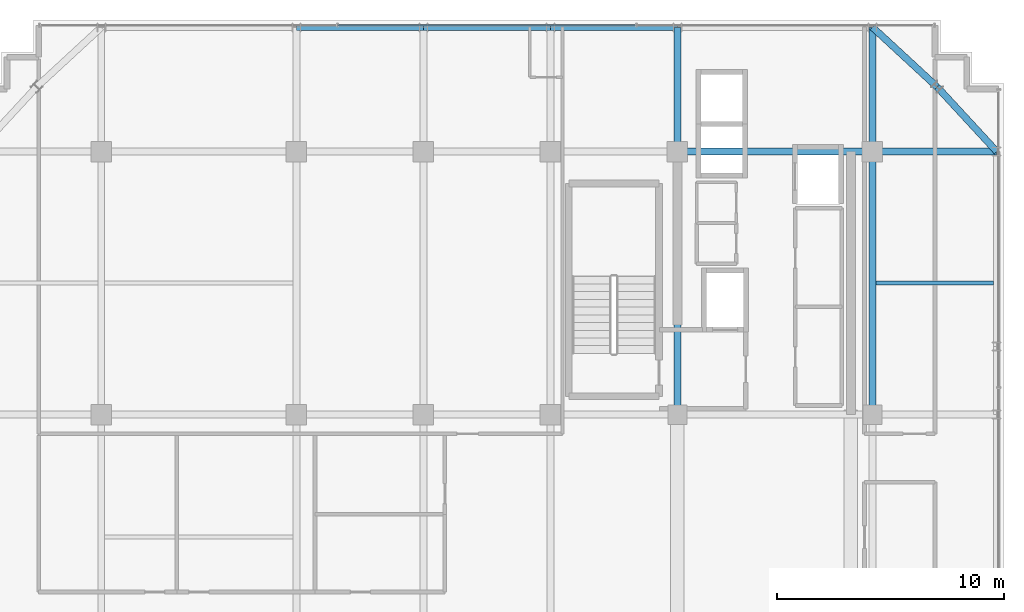
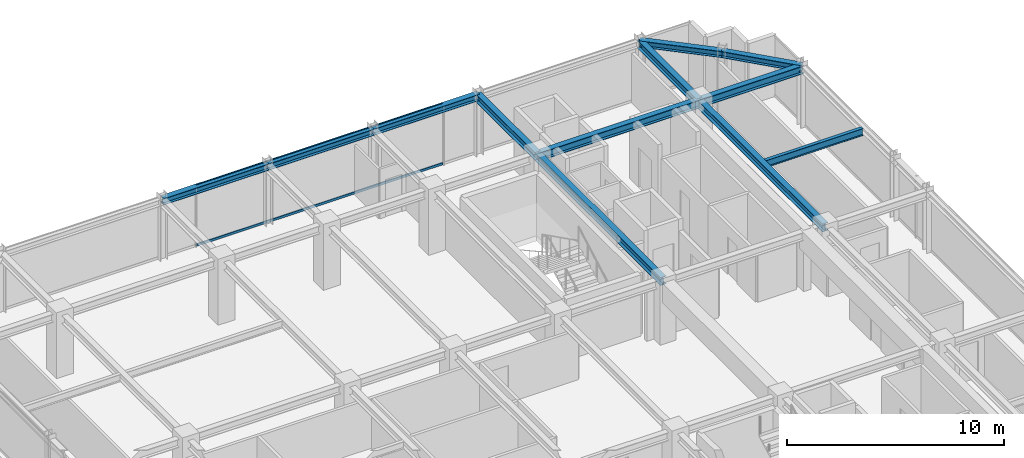
# One storey, part 21 of 31: 12 beams, 2 members, 1 element without a shape of its own.
"""IFC4 building model written with IfcOpenShell, lengths in metres."""

from ifc_helpers import new_model, si_unit, direction, frame, origin, origin_2d, place, context, subcontext, project, spatial, hollow_rectangle, i_section, extrude, source, transform, mapped, material, material_profile, profile_set, type_object, element, aggregate, save


model = new_model("IFC4")

# Units and contexts
model_context = context("Model", 3, precision=1e-05, world=origin(), true_north=direction((0.0, 1.0)))
body_context = subcontext(model_context, "Body", "Model", "MODEL_VIEW")
ifc_project = project(units=[si_unit("LENGTHUNIT", "METRE"), si_unit("AREAUNIT", "SQUARE_METRE"), si_unit("VOLUMEUNIT", "CUBIC_METRE"), si_unit("PLANEANGLEUNIT", "RADIAN"), si_unit("MASSUNIT", "GRAM", prefix="KILO")], contexts=[model_context])

# Site, building, storey
site_placement = place(None, origin())
site = spatial("IfcSite", under=ifc_project, at=site_placement, CompositionType="ELEMENT")
building_placement = place(site_placement, origin())
building = spatial("IfcBuilding", under=site, at=building_placement, Name="Nahalor Promenade Grand Hotel", CompositionType="ELEMENT")
storey_placement = place(building_placement, frame((0.0, 0.0, 277.550048828125)))
storey = spatial("IfcBuildingStorey", under=building, at=storey_placement, Name="L71", CompositionType="ELEMENT", Elevation=277.550048828125)

# Beams
ifc_material_1 = material(Name="Steel S355JR", Category="steel")
ifc_material_profile_1 = material_profile(ifc_material_1, i_section(OverallWidth=0.3, OverallDepth=0.45, WebThickness=0.014, FlangeThickness=0.026, at=origin_2d()), Name="HEB 450")
ifc_profile_set_1 = profile_set([ifc_material_profile_1], Name="Steel S355JR")
beam_type_1 = type_object("IfcBeamType", Name="Beam-Girder-HEB450", PredefinedType="BEAM", material=ifc_profile_set_1)
shared_shape_1 = source(origin(), body_context, "Body", "SweptSolid", [
    extrude(i_section(OverallWidth=0.3, OverallDepth=0.45, WebThickness=0.014, FlangeThickness=0.026, at=origin_2d()), origin(), (0.0, 0.0, 1.0), 8.60009765625),
])
beam_1_placement = place(storey_placement, frame((8.39990234375, 17.0, 3.224853515625), z_axis=(1.0, 0.0, 0.0), x_axis=(0.0, 1.0, 0.0)))
element("IfcBeam", 1, at=beam_1_placement, inside=storey, type_object=beam_type_1, Name="BM-L71-GX-3-5", PredefinedType="BEAM", context=body_context, shape_type="MappedRepresentation", body=[
    mapped(shared_shape_1, transform((0.0, 0.0, 0.0), scale=1.0)),
])
shared_shape_2 = source(origin(), body_context, "Body", "SweptSolid", [
    extrude(i_section(OverallWidth=0.3, OverallDepth=0.45, WebThickness=0.014, FlangeThickness=0.026, at=origin_2d()), origin(), (0.0, 0.0, 1.0), 11.60009765625),
])
for number, where, z_axis, x_axis, name in (
    (2, (8.39990234375, 5.39990234375, 3.224853515625), (0.0, 1.0, 0.0), (-1.0, 0.0, 0.0), "BM-L71-GY-4-3"),
    (3, (17.0, 5.39990234375, 3.224853515625), (0.0, 1.0, 0.0), (-1.0, 0.0, 0.0), "BM-L71-GY-5-3"),
):
    element("IfcBeam", number, at=place(storey_placement, frame(where, z_axis=z_axis, x_axis=x_axis)), inside=storey, type_object=beam_type_1, Name=name, PredefinedType="BEAM", context=body_context, shape_type="MappedRepresentation", body=[
        mapped(shared_shape_2, transform((0.0, 0.0, 0.0), scale=1.0)),
    ])
shared_shape_3 = source(origin(), body_context, "Body", "SweptSolid", [
    extrude(i_section(OverallWidth=0.3, OverallDepth=0.45, WebThickness=0.014, FlangeThickness=0.026, at=origin_2d()), origin(), (0.0, 0.0, 1.0), 5.47998046875),
])
for number, where, z_axis, x_axis, name in (
    (4, (17.0, 17.0, 3.224853515625), (1.0, 0.0, 0.0), (0.0, 1.0, 0.0), "BM-L71-GX-3-6"),
    (5, (8.39990234375, 17.0, 3.224853515625), (0.0, 1.0, 0.0), (-1.0, 0.0, 0.0), "BM-L71-GY-4-4"),
    (6, (17.0, 17.0, 3.224853515625), (0.0, 1.0, 0.0), (-1.0, 0.0, 0.0), "BM-L71-GY-5-4"),
):
    element("IfcBeam", number, at=place(storey_placement, frame(where, z_axis=z_axis, x_axis=x_axis)), inside=storey, type_object=beam_type_1, Name=name, PredefinedType="BEAM", context=body_context, shape_type="MappedRepresentation", body=[
        mapped(shared_shape_3, transform((0.0, 0.0, 0.0), scale=1.0)),
    ])
ifc_material_profile_2 = material_profile(ifc_material_1, i_section(OverallWidth=0.18, OverallDepth=0.4, WebThickness=0.0086, FlangeThickness=0.0135, at=origin_2d()), Name="IPE 400")
ifc_profile_set_2 = profile_set([ifc_material_profile_2], Name="Steel S355JR")
beam_type_2 = type_object("IfcBeamType", Name="Beam-Joist-IPE400", PredefinedType="JOIST", material=ifc_profile_set_2)
shared_shape_4 = source(origin(), body_context, "Body", "SweptSolid", [
    extrude(i_section(OverallWidth=0.18, OverallDepth=0.4, WebThickness=0.0086, FlangeThickness=0.0135, at=origin_2d()), origin(), (0.0, 0.0, 1.0), 5.18017578125),
])
beam_2_placement = place(storey_placement, frame((17.14990234375, 11.199951171875, 3.25), z_axis=(1.0, 0.0, 0.0), x_axis=(0.0, 1.0, 0.0)))
element("IfcBeam", 7, at=beam_2_placement, inside=storey, type_object=beam_type_2, Name="BM-L71-JSE-1-2", PredefinedType="JOIST", context=body_context, shape_type="MappedRepresentation", body=[
    mapped(shared_shape_4, transform((0.0, 0.0, 0.0), scale=1.0)),
])
ifc_material_profile_3 = material_profile(ifc_material_1, i_section(OverallWidth=0.3, OverallDepth=0.36, WebThickness=0.0125, FlangeThickness=0.0225, at=origin_2d()), Name="HEB 360")
ifc_profile_set_3 = profile_set([ifc_material_profile_3], Name="Steel S355JR")
beam_type_3 = type_object("IfcBeamType", Name="Beam-Spandrel-HEB360", PredefinedType="SPANDREL", material=ifc_profile_set_3)
shared_shape_5 = source(origin(), body_context, "Body", "SweptSolid", [
    extrude(i_section(OverallWidth=0.3, OverallDepth=0.36, WebThickness=0.0125, FlangeThickness=0.0225, at=origin_2d()), origin(), (0.0, 0.0, 1.0), 5.599853515625),
])
for number, where, z_axis, x_axis, name in (
    (8, (-8.39990234375, 22.47998046875, 3.27001953125), (1.0, 0.0, 0.0), (0.0, 1.0, 0.0), "BM-L71-SP-N-1"),
    (9, (2.800048828125, 22.47998046875, 3.27001953125), (1.0, 0.0, 0.0), (0.0, 1.0, 0.0), "BM-L71-SP-N-3"),
):
    element("IfcBeam", number, at=place(storey_placement, frame(where, z_axis=z_axis, x_axis=x_axis)), inside=storey, type_object=beam_type_3, Name=name, PredefinedType="SPANDREL", context=body_context, shape_type="MappedRepresentation", body=[
        mapped(shared_shape_5, transform((0.0, 0.0, 0.0), scale=1.0)),
    ])
shared_shape_6 = source(origin(), body_context, "Body", "SweptSolid", [
    extrude(i_section(OverallWidth=0.3, OverallDepth=0.36, WebThickness=0.0125, FlangeThickness=0.0225, at=origin_2d()), origin(), (0.0, 0.0, 1.0), 5.60009765625),
])
beam_3_placement = place(storey_placement, frame((-2.800048828125, 22.47998046875, 3.27001953125), z_axis=(1.0, 0.0, 0.0), x_axis=(0.0, 1.0, 0.0)))
element("IfcBeam", 10, at=beam_3_placement, inside=storey, type_object=beam_type_3, Name="BM-L71-SP-N-2", PredefinedType="SPANDREL", context=body_context, shape_type="MappedRepresentation", body=[
    mapped(shared_shape_6, transform((0.0, 0.0, 0.0), scale=1.0)),
])
shared_shape_7 = source(origin(), body_context, "Body", "SweptSolid", [
    extrude(i_section(OverallWidth=0.3, OverallDepth=0.36, WebThickness=0.0125, FlangeThickness=0.0225, at=origin_2d()), origin(), (0.0, 0.0, 1.0), 3.878173828125),
])
for number, where, z_axis, x_axis, name in (
    (11, (17.0, 22.47998046875, 3.27001953125), (0.73492893846, -0.678144125843, 0.0), (0.678144125843, 0.73492893846, 0.0), "BM-L71-SPC-NE-1"),
    (12, (19.85009765625, 19.85009765625, 3.27001953125), (0.678144125843, -0.73492893846, 0.0), (0.73492893846, 0.678144125843, 0.0), "BM-L71-SPC-NE-2"),
):
    element("IfcBeam", number, at=place(storey_placement, frame(where, z_axis=z_axis, x_axis=x_axis)), inside=storey, type_object=beam_type_3, Name=name, PredefinedType="SPANDREL", context=body_context, shape_type="MappedRepresentation", body=[
        mapped(shared_shape_7, transform((0.0, 0.0, 0.0), scale=1.0)),
    ])

# Curtain wall, members
ifc_material_2 = material(Name="Anodised Bronze Aluminium EN AW-6063 T6", Category="aluminium")
curtain_wall_type = type_object("IfcCurtainWallType", Name="CW2 Typical Hotel Flush Bronze Unitised Curtain Wall", PredefinedType="USERDEFINED", material=ifc_material_2)
curtain_wall_placement = place(storey_placement, origin())
curtain_wall = element("IfcCurtainWall", 13, at=curtain_wall_placement, inside=storey, type_object=curtain_wall_type, Name="L71 Curtain Wall CW-L71-N-1", ObjectType="UNITISED_CURTAIN_WALL", PredefinedType="USERDEFINED")
ifc_material_profile_4 = material_profile(ifc_material_2, hollow_rectangle(XDim=0.065, YDim=0.13, WallThickness=0.004, at=origin_2d()), Name="CWT 65x130x4")
ifc_profile_set_4 = profile_set([ifc_material_profile_4], Name="Anodised Bronze Aluminium EN AW-6063 T6")
member_type = type_object("IfcMemberType", Name="CWT2 Typical Bronze Transom 65x130", PredefinedType="USERDEFINED", material=ifc_profile_set_4)
shared_shape_8 = source(origin(), body_context, "Body", "SweptSolid", [
    extrude(hollow_rectangle(XDim=0.065, YDim=0.13, WallThickness=0.004, at=origin_2d()), origin(), (0.0, 0.0, 1.0), 13.1083984375),
])
member_1_placement = place(storey_placement, frame((-6.55419921875, 22.56005859375, 0.06494140625), z_axis=(1.0, 0.0, 0.0), x_axis=(0.0, 1.0, 0.0)))
member_1 = element("IfcMember", 14, at=member_1_placement, type_object=member_type, Name="CW-L71-N-1 Transom 1-0", ObjectType="TRANSOM", PredefinedType="USERDEFINED", context=body_context, shape_type="MappedRepresentation", body=[
    mapped(shared_shape_8, transform((0.0, 0.0, 0.0), scale=1.0)),
])
member_2_placement = place(storey_placement, frame((-6.55419921875, 22.56005859375, 3.385009765625), z_axis=(1.0, 0.0, 0.0), x_axis=(0.0, 1.0, 0.0)))
member_2 = element("IfcMember", 15, at=member_2_placement, type_object=member_type, Name="CW-L71-N-1 Transom 1-1", ObjectType="TRANSOM", PredefinedType="USERDEFINED", context=body_context, shape_type="MappedRepresentation", body=[
    mapped(shared_shape_8, transform((0.0, 0.0, 0.0), scale=1.0)),
])
aggregate(curtain_wall, [member_1, member_2])

save(model, "model.ifc")
